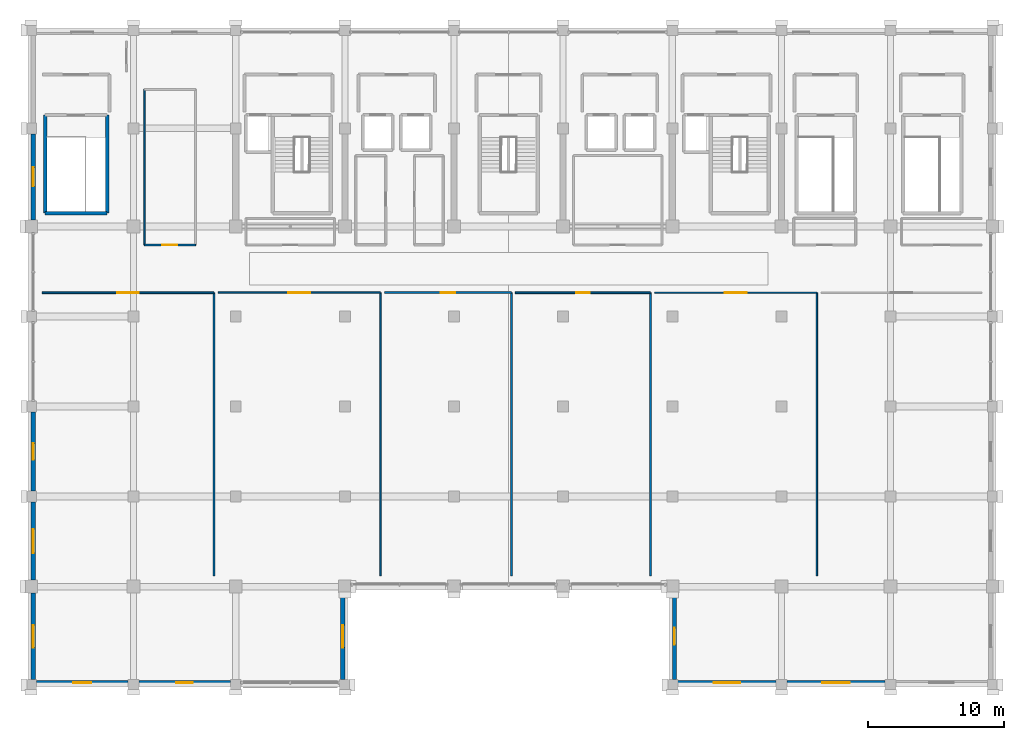
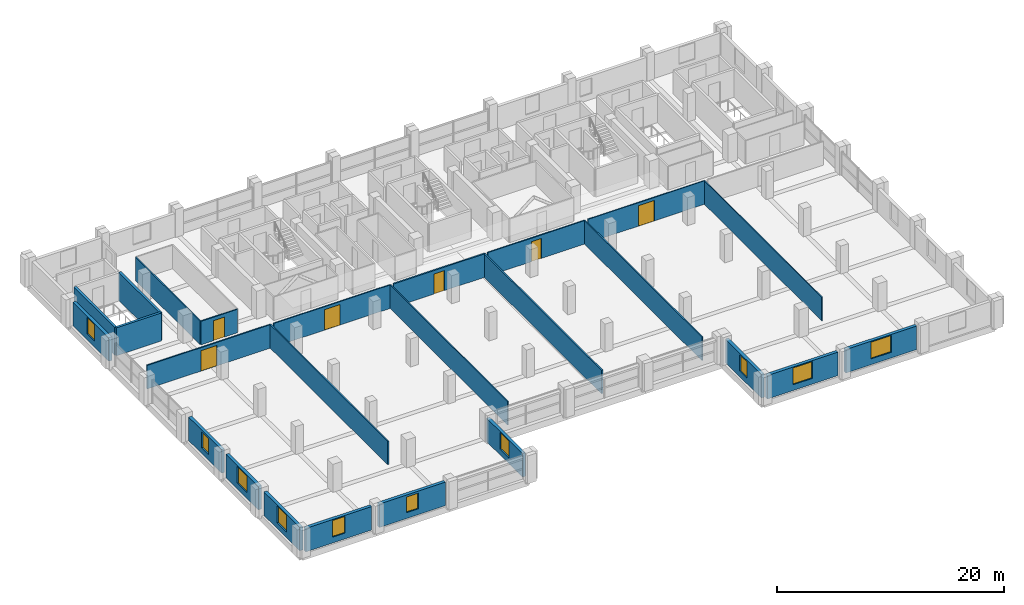
# One storey, part 16 of 21: 25 walls, 10 windows, 6 doors, 16 openings.
"""IFC4 building model written with IfcOpenShell, lengths in metres."""

from ifc_helpers import new_model, si_unit, direction, frame, frame_2d, origin, place, context, subcontext, project, spatial, rectangle, extrude, material, layer, layer_set, type_object, element, fill, save


model = new_model("IFC4")

# Units and contexts
model_context = context("Model", 3, precision=1e-05, world=origin(), true_north=direction((0.0, 1.0)))
body_context = subcontext(model_context, "Body", "Model", "MODEL_VIEW")
ifc_project = project(units=[si_unit("LENGTHUNIT", "METRE"), si_unit("AREAUNIT", "SQUARE_METRE"), si_unit("VOLUMEUNIT", "CUBIC_METRE"), si_unit("PLANEANGLEUNIT", "RADIAN"), si_unit("MASSUNIT", "GRAM", prefix="KILO")], contexts=[model_context])

# Site, building, storey
site_placement = place(None, origin())
site = spatial("IfcSite", under=ifc_project, at=site_placement, CompositionType="ELEMENT")
building_placement = place(site_placement, origin())
building = spatial("IfcBuilding", under=site, at=building_placement, Name="Akrevak Sports Hall", CompositionType="ELEMENT")
storey_placement = place(building_placement, frame((0.0, 0.0, 37.300048828125)))
storey = spatial("IfcBuildingStorey", under=building, at=storey_placement, Name="L08", CompositionType="ELEMENT", Elevation=37.300048828125)

# Wall, opening, window
ifc_material_1 = material(Name="Limestone Ashlar", Category="stone")
ifc_layer_1 = layer(ifc_material_1, 0.070068359375, Name="Limestone Ashlar")
ifc_material_2 = material(Name="Mineral Wool Thermal Insulation", Category="insulation")
ifc_layer_2 = layer(ifc_material_2, 0.090087890625, Name="Mineral Wool Thermal Insulation")
ifc_material_3 = material(Name="Concrete C40/50", Category="concrete")
ifc_layer_3 = layer(ifc_material_3, 0.159912109375, Name="Concrete C40/50")
ifc_layer_set_1 = layer_set([ifc_layer_1, ifc_layer_2, ifc_layer_3], Name="Limestone Ashlar / Mineral Wool Thermal Insulation / Concrete C40/50")
wall_type_1 = type_object("IfcWallType", Name="ARC-WL-EXT-320", PredefinedType="SOLIDWALL", material=ifc_layer_set_1)
wall_1_placement = place(storey_placement, frame((45.39990234375, 21.760009765625, 0.0), z_axis=(0.0, 0.0, 1.0), x_axis=(1.0, 0.0, 0.0)))
wall_1 = element("IfcWall", 1, at=wall_1_placement, inside=storey, type_object=wall_type_1, Name="Tower Stone Facade Wall L08-S01", PredefinedType="SOLIDWALL", context=body_context, shape_type="SweptSolid", body=[
    extrude(rectangle(XDim=6.7001953125, YDim=0.320068359375, at=frame_2d((3.35009765625, 0.0))), origin(), (0.0, 0.0, 1.0), 2.530029296875),
])
opening_1_placement = place(wall_1_placement, frame((2.699951171875, 0.0, 0.6201171875)))
opening_1 = element("IfcOpeningElement", 2, at=opening_1_placement, cuts=wall_1, Name="Opening WN-12", PredefinedType="OPENING", context=body_context, shape_type="SweptSolid", body=[
    extrude(rectangle(XDim=1.300048828125, YDim=1.800048828125, at=frame_2d((0.64990234375, 0.89990234375))), frame((0.0, 0.171875, 0.0), z_axis=(0.0, -1.0, 0.0), x_axis=(1.0, 0.0, 0.0)), (0.0, 0.0, 1.0), 0.343994140625),
])
ifc_material_4 = material(Name="Thermally Broken Bronze Frame & Double Low-E Glass", Category="glass")
window_type_1 = type_object("IfcWindowType", Name="ARC-WIN-TW-130x180", PartitioningType="SINGLE_PANEL", PredefinedType="WINDOW", material=ifc_material_4)
window_1_placement = place(opening_1_placement, origin())
window_1 = element("IfcWindow", 3, at=window_1_placement, inside=storey, type_object=window_type_1, Name="Tower Window L08-S01", OverallHeight=1.800048828125, OverallWidth=1.300048828125, PartitioningType="SINGLE_PANEL", PredefinedType="WINDOW", context=body_context, shape_type="SweptSolid", body=[
    extrude(rectangle(XDim=1.300048828125, YDim=1.800048828125, at=frame_2d((0.64990234375, 0.89990234375))), frame((0.0, 0.030029296875, 0.0), z_axis=(0.0, -1.0, 0.0), x_axis=(1.0, 0.0, 0.0)), (0.0, 0.0, 1.0), 0.06005859375),
])
fill(opening_1, window_1)

wall_2_placement = place(storey_placement, frame((52.89990234375, 21.760009765625, 0.0), z_axis=(0.0, 0.0, 1.0), x_axis=(1.0, 0.0, 0.0)))
wall_2 = element("IfcWall", 4, at=wall_2_placement, inside=storey, type_object=wall_type_1, Name="Tower Stone Facade Wall L08-S02", PredefinedType="SOLIDWALL", context=body_context, shape_type="SweptSolid", body=[
    extrude(rectangle(XDim=6.7001953125, YDim=0.320068359375, at=frame_2d((3.35009765625, 0.0))), origin(), (0.0, 0.0, 1.0), 2.530029296875),
])
opening_2_placement = place(wall_2_placement, frame((2.75, 0.0, 0.6201171875)))
opening_2 = element("IfcOpeningElement", 5, at=opening_2_placement, cuts=wall_2, Name="Opening WN-13", PredefinedType="OPENING", context=body_context, shape_type="SweptSolid", body=[
    extrude(rectangle(XDim=1.199951171875, YDim=1.699951171875, at=frame_2d((0.60009765625, 0.85009765625))), frame((0.0, 0.171875, 0.0), z_axis=(0.0, -1.0, 0.0), x_axis=(1.0, 0.0, 0.0)), (0.0, 0.0, 1.0), 0.343994140625),
])
window_type_2 = type_object("IfcWindowType", Name="ARC-WIN-TW-120x170", PartitioningType="SINGLE_PANEL", PredefinedType="WINDOW", material=ifc_material_4)
window_2_placement = place(opening_2_placement, origin())
window_2 = element("IfcWindow", 6, at=window_2_placement, inside=storey, type_object=window_type_2, Name="Tower Window L08-S02", OverallHeight=1.699951171875, OverallWidth=1.199951171875, PartitioningType="SINGLE_PANEL", PredefinedType="WINDOW", context=body_context, shape_type="SweptSolid", body=[
    extrude(rectangle(XDim=1.199951171875, YDim=1.699951171875, at=frame_2d((0.60009765625, 0.85009765625))), frame((0.0, 0.030029296875, 0.0), z_axis=(0.0, -1.0, 0.0), x_axis=(1.0, 0.0, 0.0)), (0.0, 0.0, 1.0), 0.06005859375),
])
fill(opening_2, window_2)

wall_3_placement = place(storey_placement, frame((67.840087890625, 22.0, 0.0), z_axis=(0.0, 0.0, 1.0), x_axis=(0.0, 1.0, 0.0)))
wall_3 = element("IfcWall", 7, at=wall_3_placement, inside=storey, type_object=wall_type_1, Name="Tower Stone Facade Wall L08-E04", PredefinedType="SOLIDWALL", context=body_context, shape_type="SweptSolid", body=[
    extrude(rectangle(XDim=6.324951171875, YDim=0.320068359375, at=frame_2d((3.16259765625, 0.0))), origin(), (0.0, 0.0, 1.0), 2.530029296875),
])
opening_3_placement = place(wall_3_placement, frame((2.33740234375, 0.0, 0.6201171875)))
opening_3 = element("IfcOpeningElement", 8, at=opening_3_placement, cuts=wall_3, Name="Opening WN-58", PredefinedType="OPENING", context=body_context, shape_type="SweptSolid", body=[
    extrude(rectangle(XDim=1.64990234375, YDim=1.81005859375, at=frame_2d((0.824951171875, 0.905029296875))), frame((0.0, 0.171875, 0.0), z_axis=(0.0, -1.0, 0.0), x_axis=(1.0, 0.0, 0.0)), (0.0, 0.0, 1.0), 0.343994140625),
])
window_type_3 = type_object("IfcWindowType", Name="ARC-WIN-SZ-1650x1810", PartitioningType="SINGLE_PANEL", PredefinedType="WINDOW", material=ifc_material_4)
window_3_placement = place(opening_3_placement, origin())
window_3 = element("IfcWindow", 9, at=window_3_placement, inside=storey, type_object=window_type_3, Name="Tower Window L08-E04", OverallHeight=1.81005859375, OverallWidth=1.64990234375, PartitioningType="SINGLE_PANEL", PredefinedType="WINDOW", context=body_context, shape_type="SweptSolid", body=[
    extrude(rectangle(XDim=1.64990234375, YDim=1.81005859375, at=frame_2d((0.824951171875, 0.905029296875))), frame((0.0, 0.030029296875, 0.0), z_axis=(0.0, -1.0, 0.0), x_axis=(1.0, 0.0, 0.0)), (0.0, 0.0, 1.0), 0.06005859375),
])
fill(opening_3, window_3)

wall_4_placement = place(storey_placement, frame((92.159912109375, 28.324951171875, 0.0), z_axis=(0.0, 0.0, 1.0), x_axis=(0.0, -1.0, 0.0)))
wall_4 = element("IfcWall", 10, at=wall_4_placement, inside=storey, type_object=wall_type_1, Name="Tower Stone Facade Wall L08-W08", PredefinedType="SOLIDWALL", context=body_context, shape_type="SweptSolid", body=[
    extrude(rectangle(XDim=6.324951171875, YDim=0.320068359375, at=frame_2d((3.16259765625, 0.0))), origin(), (0.0, 0.0, 1.0), 2.530029296875),
])
opening_4_placement = place(wall_4_placement, frame((2.53759765625, 0.0, 0.6201171875)))
opening_4 = element("IfcOpeningElement", 11, at=opening_4_placement, cuts=wall_4, Name="Opening WN-20", PredefinedType="OPENING", context=body_context, shape_type="SweptSolid", body=[
    extrude(rectangle(XDim=1.25, YDim=1.75, at=frame_2d((0.625, 0.875))), frame((0.0, 0.171875, 0.0), z_axis=(0.0, -1.0, 0.0), x_axis=(1.0, 0.0, 0.0)), (0.0, 0.0, 1.0), 0.343994140625),
])
window_type_4 = type_object("IfcWindowType", Name="ARC-WIN-TW-125x175", PartitioningType="SINGLE_PANEL", PredefinedType="WINDOW", material=ifc_material_4)
window_4_placement = place(opening_4_placement, origin())
window_4 = element("IfcWindow", 12, at=window_4_placement, inside=storey, type_object=window_type_4, Name="Tower Window L08-W08", OverallHeight=1.75, OverallWidth=1.25, PartitioningType="SINGLE_PANEL", PredefinedType="WINDOW", context=body_context, shape_type="SweptSolid", body=[
    extrude(rectangle(XDim=1.25, YDim=1.75, at=frame_2d((0.625, 0.875))), frame((0.0, 0.030029296875, 0.0), z_axis=(0.0, -1.0, 0.0), x_axis=(1.0, 0.0, 0.0)), (0.0, 0.0, 1.0), 0.06005859375),
])
fill(opening_4, window_4)

wall_5_placement = place(storey_placement, frame((92.39990234375, 21.760009765625, 0.0), z_axis=(0.0, 0.0, 1.0), x_axis=(1.0, 0.0, 0.0)))
wall_5 = element("IfcWall", 13, at=wall_5_placement, inside=storey, type_object=wall_type_1, Name="Tower Stone Facade Wall L08-S09", PredefinedType="SOLIDWALL", context=body_context, shape_type="SweptSolid", body=[
    extrude(rectangle(XDim=7.2001953125, YDim=0.320068359375, at=frame_2d((3.60009765625, 0.0))), origin(), (0.0, 0.0, 1.0), 2.530029296875),
])
opening_5_placement = place(wall_5_placement, frame((2.625, 0.0, 0.6201171875)))
opening_5 = element("IfcOpeningElement", 14, at=opening_5_placement, cuts=wall_5, Name="Opening WN-52", PredefinedType="OPENING", context=body_context, shape_type="SweptSolid", body=[
    extrude(rectangle(XDim=1.949951171875, YDim=1.81005859375, at=frame_2d((0.97509765625, 0.905029296875))), frame((0.0, 0.171875, 0.0), z_axis=(0.0, -1.0, 0.0), x_axis=(1.0, 0.0, 0.0)), (0.0, 0.0, 1.0), 0.343994140625),
])
window_type_5 = type_object("IfcWindowType", Name="ARC-WIN-SZ-1950x1810", PartitioningType="SINGLE_PANEL", PredefinedType="WINDOW", material=ifc_material_4)
window_5_placement = place(opening_5_placement, origin())
window_5 = element("IfcWindow", 15, at=window_5_placement, inside=storey, type_object=window_type_5, Name="Tower Window L08-S09", OverallHeight=1.81005859375, OverallWidth=1.949951171875, PartitioningType="SINGLE_PANEL", PredefinedType="WINDOW", context=body_context, shape_type="SweptSolid", body=[
    extrude(rectangle(XDim=1.949951171875, YDim=1.81005859375, at=frame_2d((0.97509765625, 0.905029296875))), frame((0.0, 0.030029296875, 0.0), z_axis=(0.0, -1.0, 0.0), x_axis=(1.0, 0.0, 0.0)), (0.0, 0.0, 1.0), 0.06005859375),
])
fill(opening_5, window_5)

wall_6_placement = place(storey_placement, frame((100.39990234375, 21.760009765625, 0.0), z_axis=(0.0, 0.0, 1.0), x_axis=(1.0, 0.0, 0.0)))
wall_6 = element("IfcWall", 16, at=wall_6_placement, inside=storey, type_object=wall_type_1, Name="Tower Stone Facade Wall L08-S10", PredefinedType="SOLIDWALL", context=body_context, shape_type="SweptSolid", body=[
    extrude(rectangle(XDim=7.2001953125, YDim=0.320068359375, at=frame_2d((3.60009765625, 0.0))), origin(), (0.0, 0.0, 1.0), 2.530029296875),
])
opening_6_placement = place(wall_6_placement, frame((2.574951171875, 0.0, 0.6201171875)))
opening_6 = element("IfcOpeningElement", 17, at=opening_6_placement, cuts=wall_6, Name="Opening WN-53", PredefinedType="OPENING", context=body_context, shape_type="SweptSolid", body=[
    extrude(rectangle(XDim=2.050048828125, YDim=1.81005859375, at=frame_2d((1.02490234375, 0.905029296875))), frame((0.0, 0.171875, 0.0), z_axis=(0.0, -1.0, 0.0), x_axis=(1.0, 0.0, 0.0)), (0.0, 0.0, 1.0), 0.343994140625),
])
window_type_6 = type_object("IfcWindowType", Name="ARC-WIN-SZ-2050x1810", PartitioningType="SINGLE_PANEL", PredefinedType="WINDOW", material=ifc_material_4)
window_6_placement = place(opening_6_placement, origin())
window_6 = element("IfcWindow", 18, at=window_6_placement, inside=storey, type_object=window_type_6, Name="Tower Window L08-S10", OverallHeight=1.81005859375, OverallWidth=2.050048828125, PartitioningType="SINGLE_PANEL", PredefinedType="WINDOW", context=body_context, shape_type="SweptSolid", body=[
    extrude(rectangle(XDim=2.050048828125, YDim=1.81005859375, at=frame_2d((1.02490234375, 0.905029296875))), frame((0.0, 0.030029296875, 0.0), z_axis=(0.0, -1.0, 0.0), x_axis=(1.0, 0.0, 0.0)), (0.0, 0.0, 1.0), 0.06005859375),
])
fill(opening_6, window_6)

wall_7_placement = place(storey_placement, frame((45.159912109375, 62.0, 0.0), z_axis=(0.0, 0.0, 1.0), x_axis=(0.0, -1.0, 0.0)))
wall_7 = element("IfcWall", 19, at=wall_7_placement, inside=storey, type_object=wall_type_1, Name="Tower Stone Facade Wall L08-W29", PredefinedType="SOLIDWALL", context=body_context, shape_type="SweptSolid", body=[
    extrude(rectangle(XDim=6.324951171875, YDim=0.320068359375, at=frame_2d((3.16259765625, 0.0))), origin(), (0.0, 0.0, 1.0), 2.530029296875),
])
opening_7_placement = place(wall_7_placement, frame((2.46240234375, 0.0, 0.6201171875)))
opening_7 = element("IfcOpeningElement", 20, at=opening_7_placement, cuts=wall_7, Name="Opening WN-49", PredefinedType="OPENING", context=body_context, shape_type="SweptSolid", body=[
    extrude(rectangle(XDim=1.39990234375, YDim=1.81005859375, at=frame_2d((0.699951171875, 0.905029296875))), frame((0.0, 0.171875, 0.0), z_axis=(0.0, -1.0, 0.0), x_axis=(1.0, 0.0, 0.0)), (0.0, 0.0, 1.0), 0.343994140625),
])
window_type_7 = type_object("IfcWindowType", Name="ARC-WIN-SZ-1400x1810", PartitioningType="SINGLE_PANEL", PredefinedType="WINDOW", material=ifc_material_4)
window_7_placement = place(opening_7_placement, origin())
window_7 = element("IfcWindow", 21, at=window_7_placement, inside=storey, type_object=window_type_7, Name="Tower Window L08-W29", OverallHeight=1.81005859375, OverallWidth=1.39990234375, PartitioningType="SINGLE_PANEL", PredefinedType="WINDOW", context=body_context, shape_type="SweptSolid", body=[
    extrude(rectangle(XDim=1.39990234375, YDim=1.81005859375, at=frame_2d((0.699951171875, 0.905029296875))), frame((0.0, 0.030029296875, 0.0), z_axis=(0.0, -1.0, 0.0), x_axis=(1.0, 0.0, 0.0)), (0.0, 0.0, 1.0), 0.06005859375),
])
fill(opening_7, window_7)

wall_8_placement = place(storey_placement, frame((45.159912109375, 41.60009765625, 0.0), z_axis=(0.0, 0.0, 1.0), x_axis=(0.0, -1.0, 0.0)))
wall_8 = element("IfcWall", 22, at=wall_8_placement, inside=storey, type_object=wall_type_1, Name="Tower Stone Facade Wall L08-W32", PredefinedType="SOLIDWALL", context=body_context, shape_type="SweptSolid", body=[
    extrude(rectangle(XDim=5.800048828125, YDim=0.320068359375, at=frame_2d((2.89990234375, 0.0))), origin(), (0.0, 0.0, 1.0), 2.530029296875),
])
opening_8_placement = place(wall_8_placement, frame((2.300048828125, 0.0, 0.6201171875)))
opening_8 = element("IfcOpeningElement", 23, at=opening_8_placement, cuts=wall_8, Name="Opening WN-13", PredefinedType="OPENING", context=body_context, shape_type="SweptSolid", body=[
    extrude(rectangle(XDim=1.199951171875, YDim=1.699951171875, at=frame_2d((0.60009765625, 0.85009765625))), frame((0.0, 0.171875, 0.0), z_axis=(0.0, -1.0, 0.0), x_axis=(1.0, 0.0, 0.0)), (0.0, 0.0, 1.0), 0.343994140625),
])
window_8_placement = place(opening_8_placement, origin())
window_8 = element("IfcWindow", 24, at=window_8_placement, inside=storey, type_object=window_type_2, Name="Tower Window L08-W32", OverallHeight=1.699951171875, OverallWidth=1.199951171875, PartitioningType="SINGLE_PANEL", PredefinedType="WINDOW", context=body_context, shape_type="SweptSolid", body=[
    extrude(rectangle(XDim=1.199951171875, YDim=1.699951171875, at=frame_2d((0.60009765625, 0.85009765625))), frame((0.0, 0.030029296875, 0.0), z_axis=(0.0, -1.0, 0.0), x_axis=(1.0, 0.0, 0.0)), (0.0, 0.0, 1.0), 0.06005859375),
])
fill(opening_8, window_8)

wall_9_placement = place(storey_placement, frame((45.159912109375, 35.0, 0.0), z_axis=(0.0, 0.0, 1.0), x_axis=(0.0, -1.0, 0.0)))
wall_9 = element("IfcWall", 25, at=wall_9_placement, inside=storey, type_object=wall_type_1, Name="Tower Stone Facade Wall L08-W33", PredefinedType="SOLIDWALL", context=body_context, shape_type="SweptSolid", body=[
    extrude(rectangle(XDim=5.72509765625, YDim=0.320068359375, at=frame_2d((2.862548828125, 0.0))), origin(), (0.0, 0.0, 1.0), 2.530029296875),
])
opening_9_placement = place(wall_9_placement, frame((1.987548828125, 0.0, 0.6201171875)))
opening_9 = element("IfcOpeningElement", 26, at=opening_9_placement, cuts=wall_9, Name="Opening WN-56", PredefinedType="OPENING", context=body_context, shape_type="SweptSolid", body=[
    extrude(rectangle(XDim=1.75, YDim=1.81005859375, at=frame_2d((0.875, 0.905029296875))), frame((0.0, 0.171875, 0.0), z_axis=(0.0, -1.0, 0.0), x_axis=(1.0, 0.0, 0.0)), (0.0, 0.0, 1.0), 0.343994140625),
])
window_type_8 = type_object("IfcWindowType", Name="ARC-WIN-SZ-1750x1810", PartitioningType="SINGLE_PANEL", PredefinedType="WINDOW", material=ifc_material_4)
window_9_placement = place(opening_9_placement, origin())
window_9 = element("IfcWindow", 27, at=window_9_placement, inside=storey, type_object=window_type_8, Name="Tower Window L08-W33", OverallHeight=1.81005859375, OverallWidth=1.75, PartitioningType="SINGLE_PANEL", PredefinedType="WINDOW", context=body_context, shape_type="SweptSolid", body=[
    extrude(rectangle(XDim=1.75, YDim=1.81005859375, at=frame_2d((0.875, 0.905029296875))), frame((0.0, 0.030029296875, 0.0), z_axis=(0.0, -1.0, 0.0), x_axis=(1.0, 0.0, 0.0)), (0.0, 0.0, 1.0), 0.06005859375),
])
fill(opening_9, window_9)

wall_10_placement = place(storey_placement, frame((45.159912109375, 28.324951171875, 0.0), z_axis=(0.0, 0.0, 1.0), x_axis=(0.0, -1.0, 0.0)))
wall_10 = element("IfcWall", 28, at=wall_10_placement, inside=storey, type_object=wall_type_1, Name="Tower Stone Facade Wall L08-W34", PredefinedType="SOLIDWALL", context=body_context, shape_type="SweptSolid", body=[
    extrude(rectangle(XDim=6.324951171875, YDim=0.320068359375, at=frame_2d((3.16259765625, 0.0))), origin(), (0.0, 0.0, 1.0), 2.530029296875),
])
opening_10_placement = place(wall_10_placement, frame((2.33740234375, 0.0, 0.6201171875)))
opening_10 = element("IfcOpeningElement", 29, at=opening_10_placement, cuts=wall_10, Name="Opening WN-58", PredefinedType="OPENING", context=body_context, shape_type="SweptSolid", body=[
    extrude(rectangle(XDim=1.64990234375, YDim=1.81005859375, at=frame_2d((0.824951171875, 0.905029296875))), frame((0.0, 0.171875, 0.0), z_axis=(0.0, -1.0, 0.0), x_axis=(1.0, 0.0, 0.0)), (0.0, 0.0, 1.0), 0.343994140625),
])
window_10_placement = place(opening_10_placement, origin())
window_10 = element("IfcWindow", 30, at=window_10_placement, inside=storey, type_object=window_type_3, Name="Tower Window L08-W34", OverallHeight=1.81005859375, OverallWidth=1.64990234375, PartitioningType="SINGLE_PANEL", PredefinedType="WINDOW", context=body_context, shape_type="SweptSolid", body=[
    extrude(rectangle(XDim=1.64990234375, YDim=1.81005859375, at=frame_2d((0.824951171875, 0.905029296875))), frame((0.0, 0.030029296875, 0.0), z_axis=(0.0, -1.0, 0.0), x_axis=(1.0, 0.0, 0.0)), (0.0, 0.0, 1.0), 0.06005859375),
])
fill(opening_10, window_10)

# Wall, opening, door
ifc_material_5 = material(Name="Sanitary Cubicle Partition", Category="gypsum")
ifc_layer_4 = layer(ifc_material_5, 0.10009765625, Name="Sanitary Cubicle Partition")
ifc_layer_set_2 = layer_set([ifc_layer_4], Name="Sanitary Cubicle Partition")
wall_type_2 = type_object("IfcWallType", Name="ARC-WL-PRT-100", PredefinedType="PARTITIONING", material=ifc_layer_set_2)
wall_11_placement = place(storey_placement, frame((90.699951171875, 50.35009765625, 0.0), z_axis=(0.0, 0.0, 1.0), x_axis=(1.0, 0.0, 0.0)))
wall_11 = element("IfcWall", 31, at=wall_11_placement, inside=storey, type_object=wall_type_2, Name="Interior Partition National Volleyball Federation Office (L08) (N)", PredefinedType="PARTITIONING", context=body_context, shape_type="SweptSolid", body=[
    extrude(rectangle(XDim=11.900146484375, YDim=0.10009765625, at=frame_2d((5.9501953125, 0.0))), origin(), (0.0, 0.0, 1.0), 2.530029296875),
])
opening_11_placement = place(wall_11_placement, frame((5.14990234375, 0.0, 0.0)))
opening_11 = element("IfcOpeningElement", 32, at=opening_11_placement, cuts=wall_11, Name="Opening ID-03", PredefinedType="OPENING", context=body_context, shape_type="SweptSolid", body=[
    extrude(rectangle(XDim=1.60009765625, YDim=2.199951171875, at=frame_2d((0.800048828125, 1.10009765625))), frame((0.0, 0.06201171875, 0.0), z_axis=(0.0, -1.0, 0.0), x_axis=(1.0, 0.0, 0.0)), (0.0, 0.0, 1.0), 0.1240234375),
])
ifc_material_6 = material(Name="Hardwood Oak & Safety Glass", Category="wood")
door_type_1 = type_object("IfcDoorType", Name="ARC-DR-HALL-160x220", OperationType="DOUBLE_DOOR_SINGLE_SWING", PredefinedType="DOOR", material=ifc_material_6)
door_1_placement = place(opening_11_placement, origin())
door_1 = element("IfcDoor", 33, at=door_1_placement, inside=storey, type_object=door_type_1, Name="Door to National Volleyball Federation Office (L08)", OperationType="DOUBLE_DOOR_SINGLE_SWING", OverallHeight=2.199951171875, OverallWidth=1.60009765625, PredefinedType="DOOR", context=body_context, shape_type="SweptSolid", body=[
    extrude(rectangle(XDim=1.60009765625, YDim=2.199951171875, at=frame_2d((0.800048828125, 1.10009765625))), frame((0.0, 0.02490234375, 0.0), z_axis=(0.0, -1.0, 0.0), x_axis=(1.0, 0.0, 0.0)), (0.0, 0.0, 1.0), 0.050048828125),
])
fill(opening_11, door_1)

# Wall
wall_12_placement = place(storey_placement, frame((102.60009765625, 29.60009765625, 0.0), z_axis=(0.0, 0.0, 1.0), x_axis=(0.0, 1.0, 0.0)))
element("IfcWall", 34, at=wall_12_placement, inside=storey, type_object=wall_type_2, Name="Interior Partition National Volleyball Federation Office (L08) (E)", PredefinedType="PARTITIONING", context=body_context, shape_type="SweptSolid", body=[
    extrude(rectangle(XDim=20.75, YDim=0.10009765625, at=frame_2d((10.375, 0.0))), origin(), (0.0, 0.0, 1.0), 2.530029296875),
])

# Wall, opening, door
ifc_material_7 = material(Name="Lightweight Office Partition", Category="gypsum")
ifc_layer_5 = layer(ifc_material_7, 0.110107421875, Name="Lightweight Office Partition")
ifc_layer_set_3 = layer_set([ifc_layer_5], Name="Lightweight Office Partition")
wall_type_3 = type_object("IfcWallType", Name="ARC-WL-PRT-110", PredefinedType="PARTITIONING", material=ifc_layer_set_3)
wall_13_placement = place(storey_placement, frame((58.699951171875, 50.35009765625, 0.0), z_axis=(0.0, 0.0, 1.0), x_axis=(1.0, 0.0, 0.0)))
wall_13 = element("IfcWall", 35, at=wall_13_placement, inside=storey, type_object=wall_type_3, Name="Interior Partition Sports Arbitration Chamber 1 (L08) (N)", PredefinedType="PARTITIONING", context=body_context, shape_type="SweptSolid", body=[
    extrude(rectangle(XDim=11.900146484375, YDim=0.110107421875, at=frame_2d((5.9501953125, 0.0))), origin(), (0.0, 0.0, 1.0), 2.530029296875),
])
opening_12_placement = place(wall_13_placement, frame((5.14990234375, 0.0, 0.0)))
opening_12 = element("IfcOpeningElement", 36, at=opening_12_placement, cuts=wall_13, Name="Opening ID-03", PredefinedType="OPENING", context=body_context, shape_type="SweptSolid", body=[
    extrude(rectangle(XDim=1.60009765625, YDim=2.199951171875, at=frame_2d((0.800048828125, 1.10009765625))), frame((0.0, 0.06689453125, 0.0), z_axis=(0.0, -1.0, 0.0), x_axis=(1.0, 0.0, 0.0)), (0.0, 0.0, 1.0), 0.134033203125),
])
door_2_placement = place(opening_12_placement, origin())
door_2 = element("IfcDoor", 37, at=door_2_placement, inside=storey, type_object=door_type_1, Name="Door to Sports Arbitration Chamber 1 (L08)", OperationType="DOUBLE_DOOR_SINGLE_SWING", OverallHeight=2.199951171875, OverallWidth=1.60009765625, PredefinedType="DOOR", context=body_context, shape_type="SweptSolid", body=[
    extrude(rectangle(XDim=1.60009765625, YDim=2.199951171875, at=frame_2d((0.800048828125, 1.10009765625))), frame((0.0, 0.02490234375, 0.0), z_axis=(0.0, -1.0, 0.0), x_axis=(1.0, 0.0, 0.0)), (0.0, 0.0, 1.0), 0.050048828125),
])
fill(opening_12, door_2)

# Wall
wall_14_placement = place(storey_placement, frame((70.60009765625, 29.60009765625, 0.0), z_axis=(0.0, 0.0, 1.0), x_axis=(0.0, 1.0, 0.0)))
element("IfcWall", 38, at=wall_14_placement, inside=storey, type_object=wall_type_3, Name="Interior Partition Sports Arbitration Chamber 1 (L08) (E)", PredefinedType="PARTITIONING", context=body_context, shape_type="SweptSolid", body=[
    extrude(rectangle(XDim=20.75, YDim=0.110107421875, at=frame_2d((10.375, 0.0))), origin(), (0.0, 0.0, 1.0), 2.530029296875),
])

# Wall, opening, door
ifc_material_8 = material(Name="Standard Metal Stud Partition", Category="gypsum")
ifc_layer_6 = layer(ifc_material_8, 0.1201171875, Name="Standard Metal Stud Partition")
ifc_layer_set_4 = layer_set([ifc_layer_6], Name="Standard Metal Stud Partition")
wall_type_4 = type_object("IfcWallType", Name="ARC-WL-PRT-120", PredefinedType="PARTITIONING", material=ifc_layer_set_4)
wall_15_placement = place(storey_placement, frame((80.5, 50.35009765625, 0.0), z_axis=(0.0, 0.0, 1.0), x_axis=(1.0, 0.0, 0.0)))
wall_15 = element("IfcWall", 39, at=wall_15_placement, inside=storey, type_object=wall_type_4, Name="Interior Partition International Delegates Lounge (L08) (N)", PredefinedType="PARTITIONING", context=body_context, shape_type="SweptSolid", body=[
    extrude(rectangle(XDim=9.89990234375, YDim=0.1201171875, at=frame_2d((4.949951171875, 0.0))), origin(), (0.0, 0.0, 1.0), 2.530029296875),
])
opening_13_placement = place(wall_15_placement, frame((4.449951171875, 0.0, 0.0)))
opening_13 = element("IfcOpeningElement", 40, at=opening_13_placement, cuts=wall_15, Name="Opening ID-06", PredefinedType="OPENING", context=body_context, shape_type="SweptSolid", body=[
    extrude(rectangle(XDim=1.0, YDim=2.14990234375, at=frame_2d((0.5, 1.074951171875))), frame((0.0, 0.072021484375, 0.0), z_axis=(0.0, -1.0, 0.0), x_axis=(1.0, 0.0, 0.0)), (0.0, 0.0, 1.0), 0.14404296875),
])
ifc_material_9 = material(Name="Hardwood Oak Acoustic Leaf", Category="wood")
door_type_2 = type_object("IfcDoorType", Name="ARC-DR-OFF-100x215", OperationType="NOTDEFINED", PredefinedType="DOOR", material=ifc_material_9)
door_3_placement = place(opening_13_placement, origin())
door_3 = element("IfcDoor", 41, at=door_3_placement, inside=storey, type_object=door_type_2, Name="Door to International Delegates Lounge (L08)", OperationType="SINGLE_SWING_LEFT", OverallHeight=2.14990234375, OverallWidth=1.0, PredefinedType="DOOR", context=body_context, shape_type="SweptSolid", body=[
    extrude(rectangle(XDim=1.0, YDim=2.14990234375, at=frame_2d((0.5, 1.074951171875))), frame((0.0, 0.02490234375, 0.0), z_axis=(0.0, -1.0, 0.0), x_axis=(1.0, 0.0, 0.0)), (0.0, 0.0, 1.0), 0.050048828125),
])
fill(opening_13, door_3)

# Wall
wall_16_placement = place(storey_placement, frame((90.39990234375, 29.60009765625, 0.0), z_axis=(0.0, 0.0, 1.0), x_axis=(0.0, 1.0, 0.0)))
element("IfcWall", 42, at=wall_16_placement, inside=storey, type_object=wall_type_4, Name="Interior Partition International Delegates Lounge (L08) (E)", PredefinedType="PARTITIONING", context=body_context, shape_type="SweptSolid", body=[
    extrude(rectangle(XDim=20.75, YDim=0.1201171875, at=frame_2d((10.375, 0.0))), origin(), (0.0, 0.0, 1.0), 2.530029296875),
])

# Wall, opening, door
wall_17_placement = place(storey_placement, frame((53.300048828125, 53.85009765625, 0.0), z_axis=(0.0, 0.0, 1.0), x_axis=(1.0, 0.0, 0.0)))
wall_17 = element("IfcWall", 43, at=wall_17_placement, inside=storey, type_object=wall_type_4, Name="Interior Partition Federation Research Office L08-W1 (S)", PredefinedType="PARTITIONING", context=body_context, shape_type="SweptSolid", body=[
    extrude(rectangle(XDim=3.75, YDim=0.1201171875, at=frame_2d((1.875, 0.0))), origin(), (0.0, 0.0, 1.0), 2.530029296875),
])
opening_14_placement = place(wall_17_placement, frame((1.300048828125, 0.0, 0.0)))
opening_14 = element("IfcOpeningElement", 44, at=opening_14_placement, cuts=wall_17, Name="Opening ID-04", PredefinedType="OPENING", context=body_context, shape_type="SweptSolid", body=[
    extrude(rectangle(XDim=1.10009765625, YDim=2.14990234375, at=frame_2d((0.550048828125, 1.074951171875))), frame((0.0, 0.072021484375, 0.0), z_axis=(0.0, -1.0, 0.0), x_axis=(1.0, 0.0, 0.0)), (0.0, 0.0, 1.0), 0.14404296875),
])
door_type_3 = type_object("IfcDoorType", Name="ARC-DR-OFF-110x215", OperationType="NOTDEFINED", PredefinedType="DOOR", material=ifc_material_9)
door_4_placement = place(opening_14_placement, frame((1.10009765625, 0.0, 0.0), z_axis=(0.0, 0.0, 1.0), x_axis=(-1.0, 0.0, 0.0)))
door_4 = element("IfcDoor", 45, at=door_4_placement, inside=storey, type_object=door_type_3, Name="Door to Federation Research Office L08-W1", OperationType="SINGLE_SWING_RIGHT", OverallHeight=2.14990234375, OverallWidth=1.10009765625, PredefinedType="DOOR", context=body_context, shape_type="SweptSolid", body=[
    extrude(rectangle(XDim=1.10009765625, YDim=2.14990234375, at=frame_2d((0.550048828125, 1.074951171875))), frame((0.0, 0.02490234375, 0.0), z_axis=(0.0, -1.0, 0.0), x_axis=(1.0, 0.0, 0.0)), (0.0, 0.0, 1.0), 0.050048828125),
])
fill(opening_14, door_4)

# Wall
wall_18_placement = place(storey_placement, frame((53.300048828125, 53.85009765625, 0.0), z_axis=(0.0, 0.0, 1.0), x_axis=(0.0, 1.0, 0.0)))
element("IfcWall", 46, at=wall_18_placement, inside=storey, type_object=wall_type_4, Name="Interior Partition Federation Research Office L08-W1 (W)", PredefinedType="PARTITIONING", context=body_context, shape_type="SweptSolid", body=[
    extrude(rectangle(XDim=11.39990234375, YDim=0.1201171875, at=frame_2d((5.699951171875, 0.0))), origin(), (0.0, 0.0, 1.0), 2.530029296875),
])

# Wall, opening, door
ifc_material_10 = material(Name="Acoustic Metal Stud Partition", Category="gypsum")
ifc_layer_7 = layer(ifc_material_10, 0.1298828125, Name="Acoustic Metal Stud Partition")
ifc_layer_set_5 = layer_set([ifc_layer_7], Name="Acoustic Metal Stud Partition")
wall_type_5 = type_object("IfcWallType", Name="ARC-WL-PRT-130", PredefinedType="PARTITIONING", material=ifc_layer_set_5)
wall_19_placement = place(storey_placement, frame((45.800048828125, 50.35009765625, 0.0), z_axis=(0.0, 0.0, 1.0), x_axis=(1.0, 0.0, 0.0)))
wall_19 = element("IfcWall", 47, at=wall_19_placement, inside=storey, type_object=wall_type_5, Name="Interior Partition Olympic Congress Assembly Chamber (L08) (N)", PredefinedType="PARTITIONING", context=body_context, shape_type="SweptSolid", body=[
    extrude(rectangle(XDim=12.599853515625, YDim=0.1298828125, at=frame_2d((6.2998046875, 0.0))), origin(), (0.0, 0.0, 1.0), 2.530029296875),
])
opening_15_placement = place(wall_19_placement, frame((5.5, 0.0, 0.0)))
opening_15 = element("IfcOpeningElement", 48, at=opening_15_placement, cuts=wall_19, Name="Opening ID-03", PredefinedType="OPENING", context=body_context, shape_type="SweptSolid", body=[
    extrude(rectangle(XDim=1.60009765625, YDim=2.199951171875, at=frame_2d((0.800048828125, 1.10009765625))), frame((0.0, 0.076904296875, 0.0), z_axis=(0.0, -1.0, 0.0), x_axis=(1.0, 0.0, 0.0)), (0.0, 0.0, 1.0), 0.15380859375),
])
door_5_placement = place(opening_15_placement, origin())
door_5 = element("IfcDoor", 49, at=door_5_placement, inside=storey, type_object=door_type_1, Name="Door to Olympic Congress Assembly Chamber (L08)", OperationType="DOUBLE_DOOR_SINGLE_SWING", OverallHeight=2.199951171875, OverallWidth=1.60009765625, PredefinedType="DOOR", context=body_context, shape_type="SweptSolid", body=[
    extrude(rectangle(XDim=1.60009765625, YDim=2.199951171875, at=frame_2d((0.800048828125, 1.10009765625))), frame((0.0, 0.02490234375, 0.0), z_axis=(0.0, -1.0, 0.0), x_axis=(1.0, 0.0, 0.0)), (0.0, 0.0, 1.0), 0.050048828125),
])
fill(opening_15, door_5)

# Wall
wall_20_placement = place(storey_placement, frame((58.39990234375, 29.60009765625, 0.0), z_axis=(0.0, 0.0, 1.0), x_axis=(0.0, 1.0, 0.0)))
element("IfcWall", 50, at=wall_20_placement, inside=storey, type_object=wall_type_5, Name="Interior Partition Olympic Congress Assembly Chamber (L08) (E)", PredefinedType="PARTITIONING", context=body_context, shape_type="SweptSolid", body=[
    extrude(rectangle(XDim=20.75, YDim=0.1298828125, at=frame_2d((10.375, 0.0))), origin(), (0.0, 0.0, 1.0), 2.530029296875),
])

# Wall, opening, door
ifc_material_11 = material(Name="Double Stud Acoustic Gypsum Partition", Category="gypsum")
ifc_layer_8 = layer(ifc_material_11, 0.14990234375, Name="Double Stud Acoustic Gypsum Partition")
ifc_layer_set_6 = layer_set([ifc_layer_8], Name="Double Stud Acoustic Gypsum Partition")
wall_type_6 = type_object("IfcWallType", Name="ARC-WL-PRT-150", PredefinedType="PARTITIONING", material=ifc_layer_set_6)
wall_21_placement = place(storey_placement, frame((70.89990234375, 50.35009765625, 0.0), z_axis=(0.0, 0.0, 1.0), x_axis=(1.0, 0.0, 0.0)))
wall_21 = element("IfcWall", 51, at=wall_21_placement, inside=storey, type_object=wall_type_6, Name="Interior Partition Sports Arbitration Chamber 2 (L08) (N)", PredefinedType="PARTITIONING", context=body_context, shape_type="SweptSolid", body=[
    extrude(rectangle(XDim=9.300048828125, YDim=0.14990234375, at=frame_2d((4.64990234375, 0.0))), origin(), (0.0, 0.0, 1.0), 2.530029296875),
])
opening_16_placement = place(wall_21_placement, frame((4.125, 0.0, 0.0)))
opening_16 = element("IfcOpeningElement", 52, at=opening_16_placement, cuts=wall_21, Name="Opening ID-05", PredefinedType="OPENING", context=body_context, shape_type="SweptSolid", body=[
    extrude(rectangle(XDim=1.050048828125, YDim=2.14990234375, at=frame_2d((0.52490234375, 1.074951171875))), frame((0.0, 0.0869140625, 0.0), z_axis=(0.0, -1.0, 0.0), x_axis=(1.0, 0.0, 0.0)), (0.0, 0.0, 1.0), 0.173828125),
])
door_type_4 = type_object("IfcDoorType", Name="ARC-DR-OFF-105x215", OperationType="NOTDEFINED", PredefinedType="DOOR", material=ifc_material_9)
door_6_placement = place(opening_16_placement, origin())
door_6 = element("IfcDoor", 53, at=door_6_placement, inside=storey, type_object=door_type_4, Name="Door to Sports Arbitration Chamber 2 (L08)", OperationType="SINGLE_SWING_RIGHT", OverallHeight=2.14990234375, OverallWidth=1.050048828125, PredefinedType="DOOR", context=body_context, shape_type="SweptSolid", body=[
    extrude(rectangle(XDim=1.050048828125, YDim=2.14990234375, at=frame_2d((0.52490234375, 1.074951171875))), frame((0.0, 0.02490234375, 0.0), z_axis=(0.0, -1.0, 0.0), x_axis=(1.0, 0.0, 0.0)), (0.0, 0.0, 1.0), 0.050048828125),
])
fill(opening_16, door_6)

# Walls
wall_22_placement = place(storey_placement, frame((80.199951171875, 29.60009765625, 0.0), z_axis=(0.0, 0.0, 1.0), x_axis=(0.0, 1.0, 0.0)))
element("IfcWall", 54, at=wall_22_placement, inside=storey, type_object=wall_type_6, Name="Interior Partition Sports Arbitration Chamber 2 (L08) (E)", PredefinedType="PARTITIONING", context=body_context, shape_type="SweptSolid", body=[
    extrude(rectangle(XDim=20.75, YDim=0.14990234375, at=frame_2d((10.375, 0.0))), origin(), (0.0, 0.0, 1.0), 2.530029296875),
])
ifc_material_12 = material(Name="Concrete C50/60", Category="concrete")
ifc_layer_9 = layer(ifc_material_12, 0.25, Name="Concrete C50/60")
ifc_layer_set_7 = layer_set([ifc_layer_9], Name="Concrete C50/60")
wall_type_7 = type_object("IfcWallType", Name="STR-WL-STAIR-250", PredefinedType="SHEAR", material=ifc_layer_set_7)
wall_23_placement = place(storey_placement, frame((46.02490234375, 56.175048828125, 0.0), z_axis=(0.0, 0.0, 1.0), x_axis=(1.0, 0.0, 0.0)))
element("IfcWall", 55, at=wall_23_placement, inside=storey, type_object=wall_type_7, Name="Stair Core ST4 Shear Wall S (L08)", PredefinedType="SHEAR", context=body_context, shape_type="SweptSolid", body=[
    extrude(rectangle(XDim=4.550048828125, YDim=0.25, at=frame_2d((2.27490234375, 0.0))), origin(), (0.0, 0.0, 1.0), 3.010009765625),
])
for number, where, z_axis, x_axis, name in (
    (56, (46.02490234375, 63.375, 0.0), (0.0, 0.0, 1.0), (0.0, -1.0, 0.0), "Stair Core ST4 Shear Wall W (L08)"),
    (57, (50.574951171875, 56.175048828125, 0.0), (0.0, 0.0, 1.0), (0.0, 1.0, 0.0), "Stair Core ST4 Shear Wall E (L08)"),
):
    element("IfcWall", number, at=place(storey_placement, frame(where, z_axis=z_axis, x_axis=x_axis)), inside=storey, type_object=wall_type_7, Name=name, PredefinedType="SHEAR", context=body_context, shape_type="SweptSolid", body=[
        extrude(rectangle(XDim=7.199951171875, YDim=0.25, at=frame_2d((3.60009765625, 0.0))), origin(), (0.0, 0.0, 1.0), 3.010009765625),
    ])

save(model, "model.ifc")
